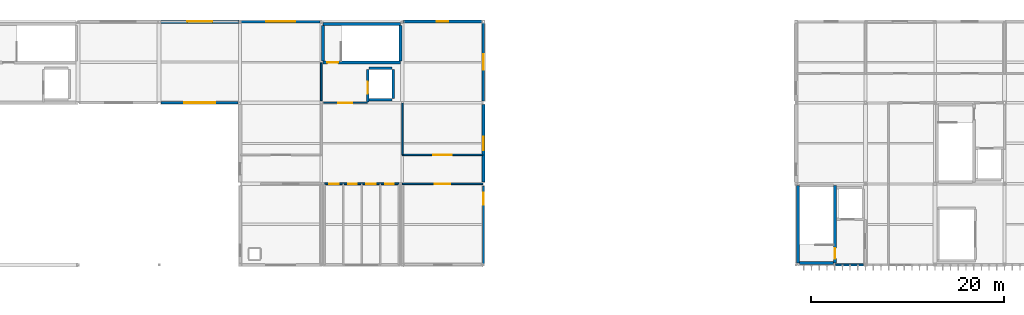
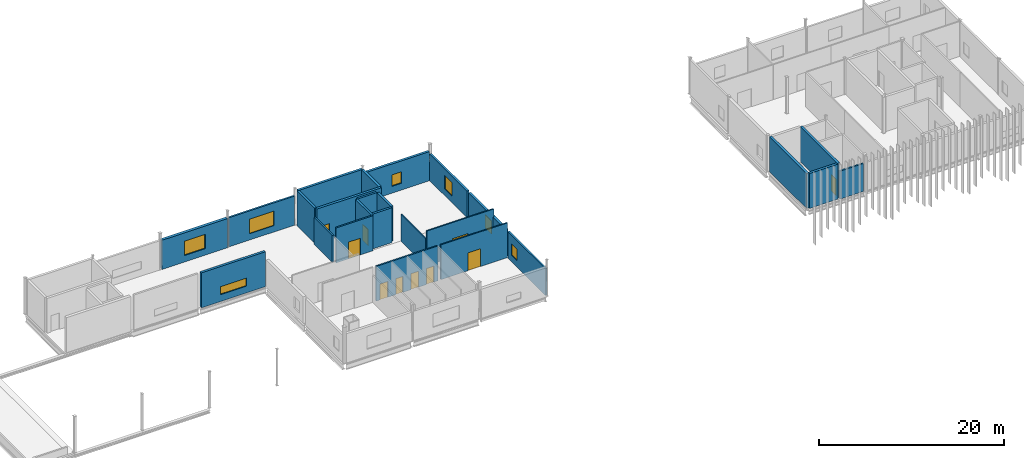
# One storey, part 20 of 27: 25 walls, 10 doors, 7 windows, 17 openings.
"""IFC4 building model written with IfcOpenShell, lengths in metres."""

from ifc_helpers import new_model, si_unit, direction, frame, frame_2d, origin, place, context, subcontext, project, spatial, rectangle, extrude, material, layer, layer_set, type_object, element, fill, save


model = new_model("IFC4")

# Units and contexts
model_context = context("Model", 3, precision=1e-05, world=origin(), true_north=direction((0.0, 1.0)))
body_context = subcontext(model_context, "Body", "Model", "MODEL_VIEW")
ifc_project = project(units=[si_unit("LENGTHUNIT", "METRE"), si_unit("AREAUNIT", "SQUARE_METRE"), si_unit("VOLUMEUNIT", "CUBIC_METRE"), si_unit("PLANEANGLEUNIT", "RADIAN"), si_unit("MASSUNIT", "GRAM", prefix="KILO")], contexts=[model_context])

# Site, building, storey
site_placement = place(None, origin())
site = spatial("IfcSite", under=ifc_project, at=site_placement, CompositionType="ELEMENT")
building_placement = place(site_placement, origin())
building = spatial("IfcBuilding", under=site, at=building_placement, Name="Calvrana Isthmian Art Gallery", CompositionType="ELEMENT")
storey_placement = place(building_placement, frame((0.0, 0.0, 24.60009765625)))
storey = spatial("IfcBuildingStorey", under=building, at=storey_placement, Name="L05", CompositionType="ELEMENT", Elevation=24.60009765625)

# Wall, opening, door
ifc_material_1 = material(Name="Concrete C40/50", Category="concrete")
ifc_layer_1 = layer(ifc_material_1, 0.300048828125, Name="Concrete C40/50")
ifc_layer_set_1 = layer_set([ifc_layer_1], Name="Concrete C40/50")
wall_type_1 = type_object("IfcWallType", Name="CW-SHAFT-300", PredefinedType="SHEAR", material=ifc_layer_set_1)
wall_1_placement = place(storey_placement, frame((63.7900390625, 42.56005859375, 0.0), z_axis=(0.0, 0.0, 1.0), x_axis=(1.0, 0.0, 0.0)))
wall_1 = element("IfcWall", 1, at=wall_1_placement, inside=storey, type_object=wall_type_1, Name="Core C2 shear wall S L05", PredefinedType="SHEAR", context=body_context, shape_type="SweptSolid", body=[
    extrude(rectangle(XDim=8.02001953125, YDim=0.300048828125, at=frame_2d((4.010009765625, 0.0))), origin(), (0.0, 0.0, 1.0), 4.599853515625),
])
opening_1_placement = place(wall_1_placement, frame((0.449951171875, 0.0, 0.0)))
opening_1 = element("IfcOpeningElement", 2, at=opening_1_placement, cuts=wall_1, Name="Opening D-126", PredefinedType="OPENING", context=body_context, shape_type="SweptSolid", body=[
    extrude(rectangle(XDim=1.10009765625, YDim=2.14990234375, at=frame_2d((0.550048828125, 1.074951171875))), frame((0.0, 0.16015625, 0.0), z_axis=(0.0, -1.0, 0.0), x_axis=(1.0, 0.0, 0.0)), (0.0, 0.0, 1.0), 0.320556640625),
])
ifc_material_2 = material(Name="Steel ASTM A572 Gr 50", Category="steel")
door_type_1 = type_object("IfcDoorType", Name="DR-FIRE-1100", OperationType="NOTDEFINED", PredefinedType="DOOR", material=ifc_material_2)
door_1_placement = place(opening_1_placement, origin())
door_1 = element("IfcDoor", 3, at=door_1_placement, inside=storey, type_object=door_type_1, Name="Stair ST-2 fire door L05", OperationType="SINGLE_SWING_RIGHT", OverallHeight=2.14990234375, OverallWidth=1.10009765625, PredefinedType="DOOR", context=body_context, shape_type="SweptSolid", body=[
    extrude(rectangle(XDim=1.10009765625, YDim=2.14990234375, at=frame_2d((0.550048828125, 1.074951171875))), frame((0.0, 0.02490234375, 0.0), z_axis=(0.0, -1.0, 0.0), x_axis=(1.0, 0.0, 0.0)), (0.0, 0.0, 1.0), 0.050048828125),
])
fill(opening_1, door_1)

# Walls
wall_2_placement = place(storey_placement, frame((63.7900390625, 46.580078125, 0.0), z_axis=(0.0, 0.0, 1.0), x_axis=(1.0, 0.0, 0.0)))
element("IfcWall", 4, at=wall_2_placement, inside=storey, type_object=wall_type_1, Name="Core C2 shear wall N L05", PredefinedType="SHEAR", context=body_context, shape_type="SweptSolid", body=[
    extrude(rectangle(XDim=8.02001953125, YDim=0.300048828125, at=frame_2d((4.010009765625, 0.0))), origin(), (0.0, 0.0, 1.0), 4.599853515625),
])
for number, where, z_axis, x_axis, name in (
    (5, (63.7900390625, 42.7099609375, 0.0), (0.0, 0.0, 1.0), (0.0, 1.0, 0.0), "Core C2 shear wall W L05"),
    (6, (71.81005859375, 42.7099609375, 0.0), (0.0, 0.0, 1.0), (0.0, 1.0, 0.0), "Core C2 shear wall E L05"),
):
    element("IfcWall", number, at=place(storey_placement, frame(where, z_axis=z_axis, x_axis=x_axis)), inside=storey, type_object=wall_type_1, Name=name, PredefinedType="SHEAR", context=body_context, shape_type="SweptSolid", body=[
        extrude(rectangle(XDim=3.719970703125, YDim=0.300048828125, at=frame_2d((1.85986328125, 0.0))), origin(), (0.0, 0.0, 1.0), 4.599853515625),
    ])
wall_3_placement = place(storey_placement, frame((113.02001953125, 21.7900390625, 0.0), z_axis=(0.0, 0.0, 1.0), x_axis=(0.0, 1.0, 0.0)))
element("IfcWall", 7, at=wall_3_placement, inside=storey, type_object=wall_type_1, Name="Core C3 shear wall W L05", PredefinedType="SHEAR", context=body_context, shape_type="SweptSolid", body=[
    extrude(rectangle(XDim=8.02001953125, YDim=0.300048828125, at=frame_2d((4.010009765625, 0.0))), origin(), (0.0, 0.0, 1.0), 4.599853515625),
])

# Wall, opening, door
wall_4_placement = place(storey_placement, frame((116.840087890625, 21.7900390625, 0.0), z_axis=(0.0, 0.0, 1.0), x_axis=(0.0, 1.0, 0.0)))
wall_4 = element("IfcWall", 8, at=wall_4_placement, inside=storey, type_object=wall_type_1, Name="Core C3 shear wall E L05", PredefinedType="SHEAR", context=body_context, shape_type="SweptSolid", body=[
    extrude(rectangle(XDim=8.02001953125, YDim=0.300048828125, at=frame_2d((4.010009765625, 0.0))), origin(), (0.0, 0.0, 1.0), 4.599853515625),
])
opening_2_placement = place(wall_4_placement, frame((0.449951171875, 0.0, 0.0)))
opening_2 = element("IfcOpeningElement", 9, at=opening_2_placement, cuts=wall_4, Name="Opening D-140", PredefinedType="OPENING", context=body_context, shape_type="SweptSolid", body=[
    extrude(rectangle(XDim=1.10009765625, YDim=2.14990234375, at=frame_2d((0.550048828125, 1.074951171875))), frame((0.0, 0.16015625, 0.0), z_axis=(0.0, -1.0, 0.0), x_axis=(1.0, 0.0, 0.0)), (0.0, 0.0, 1.0), 0.320556640625),
])
door_2_placement = place(opening_2_placement, origin())
door_2 = element("IfcDoor", 10, at=door_2_placement, inside=storey, type_object=door_type_1, Name="Stair ST-3 fire door L05", OperationType="SINGLE_SWING_LEFT", OverallHeight=2.14990234375, OverallWidth=1.10009765625, PredefinedType="DOOR", context=body_context, shape_type="SweptSolid", body=[
    extrude(rectangle(XDim=1.10009765625, YDim=2.14990234375, at=frame_2d((0.550048828125, 1.074951171875))), frame((0.0, 0.02490234375, 0.0), z_axis=(0.0, -1.0, 0.0), x_axis=(1.0, 0.0, 0.0)), (0.0, 0.0, 1.0), 0.050048828125),
])
fill(opening_2, door_2)

# Wall
wall_5_placement = place(storey_placement, frame((113.169921875, 21.7900390625, 0.0), z_axis=(0.0, 0.0, 1.0), x_axis=(1.0, 0.0, 0.0)))
element("IfcWall", 11, at=wall_5_placement, inside=storey, type_object=wall_type_1, Name="Core C3 shear wall S L05", PredefinedType="SHEAR", context=body_context, shape_type="SweptSolid", body=[
    extrude(rectangle(XDim=3.52001953125, YDim=0.300048828125, at=frame_2d((1.760009765625, 0.0))), origin(), (0.0, 0.0, 1.0), 4.599853515625),
])

# Wall, opening, window
ifc_material_3 = material(Name="Precast concrete C40/50", Category="concrete")
ifc_layer_2 = layer(ifc_material_3, 0.219970703125, Name="Precast concrete C40/50")
ifc_layer_set_2 = layer_set([ifc_layer_2], Name="Precast concrete C40/50")
wall_type_2 = type_object("IfcWallType", Name="EW-ACOUST-220", PredefinedType="SOLIDWALL", material=ifc_layer_set_2)
wall_6_placement = place(storey_placement, frame((55.301513671875, 46.800048828125, 0.0), z_axis=(0.0, 0.0, 1.0), x_axis=(1.0, 0.0, 0.0)))
wall_6 = element("IfcWall", 12, at=wall_6_placement, inside=storey, type_object=wall_type_2, Name="Exterior wall EW-218", PredefinedType="SOLIDWALL", context=body_context, shape_type="SweptSolid", body=[
    extrude(rectangle(XDim=8.17138671875, YDim=0.219970703125, at=frame_2d((4.085693359375, 0.0))), origin(), (0.0, 0.0, 1.0), 3.84228515625),
])
opening_3_placement = place(wall_6_placement, frame((2.585693359375, 0.0, 0.85009765625)))
opening_3 = element("IfcOpeningElement", 13, at=opening_3_placement, cuts=wall_6, Name="Opening W-163", PredefinedType="OPENING", context=body_context, shape_type="SweptSolid", body=[
    extrude(rectangle(XDim=3.0, YDim=1.89990234375, at=frame_2d((1.5, 0.949951171875))), frame((0.0, 0.1201171875, 0.0), z_axis=(0.0, -1.0, 0.0), x_axis=(1.0, 0.0, 0.0)), (0.0, 0.0, 1.0), 0.240478515625),
])
ifc_material_4 = material(Name="Low-E laminated solar glass", Category="glass")
window_type_1 = type_object("IfcWindowType", Name="WN-S02", PartitioningType="DOUBLE_PANEL_VERTICAL", PredefinedType="WINDOW", material=ifc_material_4)
window_1_placement = place(opening_3_placement, origin())
window_1 = element("IfcWindow", 14, at=window_1_placement, inside=storey, type_object=window_type_1, Name="Facade window W-163", OverallHeight=1.89990234375, OverallWidth=3.0, PartitioningType="SINGLE_PANEL", PredefinedType="WINDOW", context=body_context, shape_type="SweptSolid", body=[
    extrude(rectangle(XDim=3.0, YDim=1.89990234375, at=frame_2d((1.5, 0.949951171875))), frame((0.0, 0.030029296875, 0.0), z_axis=(0.0, -1.0, 0.0), x_axis=(1.0, 0.0, 0.0)), (0.0, 0.0, 1.0), 0.06005859375),
])
fill(opening_3, window_1)

wall_7_placement = place(storey_placement, frame((80.39990234375, 29.800048828125, 0.0), z_axis=(0.0, 0.0, 1.0), x_axis=(0.0, -1.0, 0.0)))
wall_7 = element("IfcWall", 15, at=wall_7_placement, inside=storey, type_object=wall_type_2, Name="Exterior wall EW-226", PredefinedType="SOLIDWALL", context=body_context, shape_type="SweptSolid", body=[
    extrude(rectangle(XDim=8.098388671875, YDim=0.219970703125, at=frame_2d((4.04931640625, 0.0))), origin(), (0.0, 0.0, 1.0), 3.52392578125),
])
opening_4_placement = place(wall_7_placement, frame((0.75, 0.0, 0.89990234375)))
opening_4 = element("IfcOpeningElement", 16, at=opening_4_placement, cuts=wall_7, Name="Opening W-171", PredefinedType="OPENING", context=body_context, shape_type="SweptSolid", body=[
    extrude(rectangle(XDim=1.199951171875, YDim=1.5, at=frame_2d((0.60009765625, 0.75))), frame((0.0, 0.1201171875, 0.0), z_axis=(0.0, -1.0, 0.0), x_axis=(1.0, 0.0, 0.0)), (0.0, 0.0, 1.0), 0.240478515625),
])
window_type_2 = type_object("IfcWindowType", Name="WN-G01", PartitioningType="SINGLE_PANEL", PredefinedType="WINDOW", material=ifc_material_4)
window_2_placement = place(opening_4_placement, origin())
window_2 = element("IfcWindow", 17, at=window_2_placement, inside=storey, type_object=window_type_2, Name="Facade window W-171", OverallHeight=1.5, OverallWidth=1.199951171875, PartitioningType="SINGLE_PANEL", PredefinedType="WINDOW", context=body_context, shape_type="SweptSolid", body=[
    extrude(rectangle(XDim=1.199951171875, YDim=1.5, at=frame_2d((0.60009765625, 0.75))), frame((0.0, 0.030029296875, 0.0), z_axis=(0.0, -1.0, 0.0), x_axis=(1.0, 0.0, 0.0)), (0.0, 0.0, 1.0), 0.06005859375),
])
fill(opening_4, window_2)

ifc_material_5 = material(Name="Pale Isthmian limestone", Category="masonry")
ifc_layer_3 = layer(ifc_material_5, 0.300048828125, Name="Pale Isthmian limestone")
ifc_layer_set_3 = layer_set([ifc_layer_3], Name="Pale Isthmian limestone")
wall_type_3 = type_object("IfcWallType", Name="EW-LIME-300", PredefinedType="SOLIDWALL", material=ifc_layer_set_3)
wall_8_placement = place(storey_placement, frame((55.0, 38.39990234375, 0.0), z_axis=(0.0, 0.0, 1.0), x_axis=(-1.0, 0.0, 0.0)))
wall_8 = element("IfcWall", 18, at=wall_8_placement, inside=storey, type_object=wall_type_3, Name="Exterior wall EW-215", PredefinedType="SOLIDWALL", context=body_context, shape_type="SweptSolid", body=[
    extrude(rectangle(XDim=8.0, YDim=0.300048828125, at=frame_2d((4.0, 0.0))), origin(), (0.0, 0.0, 1.0), 4.599853515625),
])
opening_5_placement = place(wall_8_placement, frame((2.39990234375, 0.0, 0.89990234375)))
opening_5 = element("IfcOpeningElement", 19, at=opening_5_placement, cuts=wall_8, Name="Opening W-160", PredefinedType="OPENING", context=body_context, shape_type="SweptSolid", body=[
    extrude(rectangle(XDim=3.199951171875, YDim=1.050048828125, at=frame_2d((1.60009765625, 0.52490234375))), frame((0.0, 0.16015625, 0.0), z_axis=(0.0, -1.0, 0.0), x_axis=(1.0, 0.0, 0.0)), (0.0, 0.0, 1.0), 0.320556640625),
])
window_type_3 = type_object("IfcWindowType", Name="WN-C05", PartitioningType="DOUBLE_PANEL_VERTICAL", PredefinedType="WINDOW", material=ifc_material_4)
window_3_placement = place(opening_5_placement, origin())
window_3 = element("IfcWindow", 20, at=window_3_placement, inside=storey, type_object=window_type_3, Name="Facade window W-160", OverallHeight=1.050048828125, OverallWidth=3.199951171875, PartitioningType="SINGLE_PANEL", PredefinedType="WINDOW", context=body_context, shape_type="SweptSolid", body=[
    extrude(rectangle(XDim=3.199951171875, YDim=1.050048828125, at=frame_2d((1.60009765625, 0.52490234375))), frame((0.0, 0.030029296875, 0.0), z_axis=(0.0, -1.0, 0.0), x_axis=(1.0, 0.0, 0.0)), (0.0, 0.0, 1.0), 0.06005859375),
])
fill(opening_5, window_3)

wall_9_placement = place(storey_placement, frame((72.1015625, 46.800048828125, 0.0), z_axis=(0.0, 0.0, 1.0), x_axis=(1.0, 0.0, 0.0)))
wall_9 = element("IfcWall", 21, at=wall_9_placement, inside=storey, type_object=wall_type_3, Name="Exterior wall EW-219", PredefinedType="SOLIDWALL", context=body_context, shape_type="SweptSolid", body=[
    extrude(rectangle(XDim=8.14599609375, YDim=0.300048828125, at=frame_2d((4.072998046875, 0.0))), origin(), (0.0, 0.0, 1.0), 3.84228515625),
])
opening_6_placement = place(wall_9_placement, frame((3.472900390625, 0.0, 0.89990234375)))
opening_6 = element("IfcOpeningElement", 22, at=opening_6_placement, cuts=wall_9, Name="Opening W-164", PredefinedType="OPENING", context=body_context, shape_type="SweptSolid", body=[
    extrude(rectangle(XDim=1.199951171875, YDim=1.5, at=frame_2d((0.60009765625, 0.75))), frame((0.0, 0.16015625, 0.0), z_axis=(0.0, -1.0, 0.0), x_axis=(1.0, 0.0, 0.0)), (0.0, 0.0, 1.0), 0.320556640625),
])
window_4_placement = place(opening_6_placement, origin())
window_4 = element("IfcWindow", 23, at=window_4_placement, inside=storey, type_object=window_type_2, Name="Facade window W-164", OverallHeight=1.5, OverallWidth=1.199951171875, PartitioningType="SINGLE_PANEL", PredefinedType="WINDOW", context=body_context, shape_type="SweptSolid", body=[
    extrude(rectangle(XDim=1.199951171875, YDim=1.5, at=frame_2d((0.60009765625, 0.75))), frame((0.0, 0.030029296875, 0.0), z_axis=(0.0, -1.0, 0.0), x_axis=(1.0, 0.0, 0.0)), (0.0, 0.0, 1.0), 0.06005859375),
])
fill(opening_6, window_4)

wall_10_placement = place(storey_placement, frame((80.39990234375, 38.199951171875, 0.0), z_axis=(0.0, 0.0, 1.0), x_axis=(0.0, -1.0, 0.0)))
wall_10 = element("IfcWall", 24, at=wall_10_placement, inside=storey, type_object=wall_type_3, Name="Exterior wall EW-227", PredefinedType="SOLIDWALL", context=body_context, shape_type="SweptSolid", body=[
    extrude(rectangle(XDim=8.0, YDim=0.300048828125, at=frame_2d((4.0, 0.0))), origin(), (0.0, 0.0, 1.0), 3.52392578125),
])
opening_7_placement = place(wall_10_placement, frame((3.300048828125, 0.0, 0.89990234375)))
opening_7 = element("IfcOpeningElement", 25, at=opening_7_placement, cuts=wall_10, Name="Opening W-172", PredefinedType="OPENING", context=body_context, shape_type="SweptSolid", body=[
    extrude(rectangle(XDim=1.39990234375, YDim=1.75, at=frame_2d((0.699951171875, 0.875))), frame((0.0, 0.16015625, 0.0), z_axis=(0.0, -1.0, 0.0), x_axis=(1.0, 0.0, 0.0)), (0.0, 0.0, 1.0), 0.320556640625),
])
window_type_4 = type_object("IfcWindowType", Name="WN-G09", PartitioningType="SINGLE_PANEL", PredefinedType="WINDOW", material=ifc_material_4)
window_5_placement = place(opening_7_placement, origin())
window_5 = element("IfcWindow", 26, at=window_5_placement, inside=storey, type_object=window_type_4, Name="Facade window W-172", OverallHeight=1.75, OverallWidth=1.39990234375, PartitioningType="SINGLE_PANEL", PredefinedType="WINDOW", context=body_context, shape_type="SweptSolid", body=[
    extrude(rectangle(XDim=1.39990234375, YDim=1.75, at=frame_2d((0.699951171875, 0.875))), frame((0.0, 0.030029296875, 0.0), z_axis=(0.0, -1.0, 0.0), x_axis=(1.0, 0.0, 0.0)), (0.0, 0.0, 1.0), 0.06005859375),
])
fill(opening_7, window_5)

ifc_layer_4 = layer(ifc_material_3, 0.35009765625, Name="Precast concrete C40/50")
ifc_layer_set_4 = layer_set([ifc_layer_4], Name="Precast concrete C40/50")
wall_type_4 = type_object("IfcWallType", Name="EW-PREC-350", PredefinedType="SOLIDWALL", material=ifc_layer_set_4)
wall_11_placement = place(storey_placement, frame((46.952392578125, 46.800048828125, 0.0), z_axis=(0.0, 0.0, 1.0), x_axis=(1.0, 0.0, 0.0)))
wall_11 = element("IfcWall", 27, at=wall_11_placement, inside=storey, type_object=wall_type_4, Name="Exterior wall EW-217", PredefinedType="SOLIDWALL", context=body_context, shape_type="SweptSolid", body=[
    extrude(rectangle(XDim=8.14599609375, YDim=0.35009765625, at=frame_2d((4.072998046875, 0.0))), origin(), (0.0, 0.0, 1.0), 3.84228515625),
])
opening_8_placement = place(wall_11_placement, frame((2.77294921875, 0.0, 0.85009765625)))
opening_8 = element("IfcOpeningElement", 28, at=opening_8_placement, cuts=wall_11, Name="Opening W-162", PredefinedType="OPENING", context=body_context, shape_type="SweptSolid", body=[
    extrude(rectangle(XDim=2.60009765625, YDim=1.89990234375, at=frame_2d((1.300048828125, 0.949951171875))), frame((0.0, 0.185302734375, 0.0), z_axis=(0.0, -1.0, 0.0), x_axis=(1.0, 0.0, 0.0)), (0.0, 0.0, 1.0), 0.37060546875),
])
window_type_5 = type_object("IfcWindowType", Name="WN-S01", PartitioningType="DOUBLE_PANEL_VERTICAL", PredefinedType="WINDOW", material=ifc_material_4)
window_6_placement = place(opening_8_placement, origin())
window_6 = element("IfcWindow", 29, at=window_6_placement, inside=storey, type_object=window_type_5, Name="Facade window W-162", OverallHeight=1.89990234375, OverallWidth=2.60009765625, PartitioningType="SINGLE_PANEL", PredefinedType="WINDOW", context=body_context, shape_type="SweptSolid", body=[
    extrude(rectangle(XDim=2.60009765625, YDim=1.89990234375, at=frame_2d((1.300048828125, 0.949951171875))), frame((0.0, 0.030029296875, 0.0), z_axis=(0.0, -1.0, 0.0), x_axis=(1.0, 0.0, 0.0)), (0.0, 0.0, 1.0), 0.06005859375),
])
fill(opening_8, window_6)

ifc_material_6 = material(Name="Polychrome glazed terracotta", Category="masonry")
ifc_layer_5 = layer(ifc_material_6, 0.25, Name="Polychrome glazed terracotta")
ifc_layer_set_5 = layer_set([ifc_layer_5], Name="Polychrome glazed terracotta")
wall_type_5 = type_object("IfcWallType", Name="EW-TERRA-250", PredefinedType="SOLIDWALL", material=ifc_layer_set_5)
wall_12_placement = place(storey_placement, frame((80.39990234375, 46.647705078125, 0.0), z_axis=(0.0, 0.0, 1.0), x_axis=(0.0, -1.0, 0.0)))
wall_12 = element("IfcWall", 30, at=wall_12_placement, inside=storey, type_object=wall_type_5, Name="Exterior wall EW-228", PredefinedType="SOLIDWALL", context=body_context, shape_type="SweptSolid", body=[
    extrude(rectangle(XDim=8.047607421875, YDim=0.25, at=frame_2d((4.02392578125, 0.0))), origin(), (0.0, 0.0, 1.0), 3.52392578125),
])
opening_9_placement = place(wall_12_placement, frame((3.223876953125, 0.0, 0.89990234375)))
opening_9 = element("IfcOpeningElement", 31, at=opening_9_placement, cuts=wall_12, Name="Opening W-173", PredefinedType="OPENING", context=body_context, shape_type="SweptSolid", body=[
    extrude(rectangle(XDim=1.60009765625, YDim=1.75, at=frame_2d((0.800048828125, 0.875))), frame((0.0, 0.13525390625, 0.0), z_axis=(0.0, -1.0, 0.0), x_axis=(1.0, 0.0, 0.0)), (0.0, 0.0, 1.0), 0.2705078125),
])
window_type_6 = type_object("IfcWindowType", Name="WN-G10", PartitioningType="SINGLE_PANEL", PredefinedType="WINDOW", material=ifc_material_4)
window_7_placement = place(opening_9_placement, origin())
window_7 = element("IfcWindow", 32, at=window_7_placement, inside=storey, type_object=window_type_6, Name="Facade window W-173", OverallHeight=1.75, OverallWidth=1.60009765625, PartitioningType="SINGLE_PANEL", PredefinedType="WINDOW", context=body_context, shape_type="SweptSolid", body=[
    extrude(rectangle(XDim=1.60009765625, YDim=1.75, at=frame_2d((0.800048828125, 0.875))), frame((0.0, 0.030029296875, 0.0), z_axis=(0.0, -1.0, 0.0), x_axis=(1.0, 0.0, 0.0)), (0.0, 0.0, 1.0), 0.06005859375),
])
fill(opening_9, window_7)

# Wall, openings, doors
ifc_material_7 = material(Name="Acoustic gypsum ceiling", Category="gypsum")
ifc_layer_6 = layer(ifc_material_7, 0.179931640625, Name="Acoustic gypsum ceiling")
ifc_layer_set_6 = layer_set([ifc_layer_6], Name="Acoustic gypsum ceiling")
wall_type_6 = type_object("IfcWallType", Name="PW-CORR-180", PredefinedType="PARTITIONING", material=ifc_layer_set_6)
wall_13_placement = place(storey_placement, frame((63.9599609375, 30.0, 0.0), z_axis=(0.0, 0.0, 1.0), x_axis=(1.0, 0.0, 0.0)))
wall_13 = element("IfcWall", 33, at=wall_13_placement, inside=storey, type_object=wall_type_6, Name="Interior partition PW-612", PredefinedType="PARTITIONING", context=body_context, shape_type="SweptSolid", body=[
    extrude(rectangle(XDim=7.679931640625, YDim=0.179931640625, at=frame_2d((3.83984375, 0.0))), origin(), (0.0, 0.0, 1.0), 4.579833984375),
])
opening_10_placement = place(wall_13_placement, frame((0.485107421875, 0.0, 0.0)))
opening_10 = element("IfcOpeningElement", 34, at=opening_10_placement, cuts=wall_13, Name="Opening D-516", PredefinedType="OPENING", context=body_context, shape_type="SweptSolid", body=[
    extrude(rectangle(XDim=0.949951171875, YDim=2.10009765625, at=frame_2d((0.47509765625, 1.050048828125))), frame((0.0, 0.10009765625, 0.0), z_axis=(0.0, -1.0, 0.0), x_axis=(1.0, 0.0, 0.0)), (0.0, 0.0, 1.0), 0.200439453125),
])
opening_11_placement = place(wall_13_placement, frame((2.429931640625, 0.0, 0.0)))
opening_11 = element("IfcOpeningElement", 35, at=opening_11_placement, cuts=wall_13, Name="Opening D-517", PredefinedType="OPENING", context=body_context, shape_type="SweptSolid", body=[
    extrude(rectangle(XDim=0.89990234375, YDim=2.10009765625, at=frame_2d((0.449951171875, 1.050048828125))), frame((0.0, 0.10009765625, 0.0), z_axis=(0.0, -1.0, 0.0), x_axis=(1.0, 0.0, 0.0)), (0.0, 0.0, 1.0), 0.200439453125),
])
opening_12_placement = place(wall_13_placement, frame((4.324951171875, 0.0, 0.0)))
opening_12 = element("IfcOpeningElement", 36, at=opening_12_placement, cuts=wall_13, Name="Opening D-518", PredefinedType="OPENING", context=body_context, shape_type="SweptSolid", body=[
    extrude(rectangle(XDim=0.949951171875, YDim=2.10009765625, at=frame_2d((0.47509765625, 1.050048828125))), frame((0.0, 0.10009765625, 0.0), z_axis=(0.0, -1.0, 0.0), x_axis=(1.0, 0.0, 0.0)), (0.0, 0.0, 1.0), 0.200439453125),
])
opening_13_placement = place(wall_13_placement, frame((6.27001953125, 0.0, 0.0)))
opening_13 = element("IfcOpeningElement", 37, at=opening_13_placement, cuts=wall_13, Name="Opening D-519", PredefinedType="OPENING", context=body_context, shape_type="SweptSolid", body=[
    extrude(rectangle(XDim=0.89990234375, YDim=2.10009765625, at=frame_2d((0.449951171875, 1.050048828125))), frame((0.0, 0.10009765625, 0.0), z_axis=(0.0, -1.0, 0.0), x_axis=(1.0, 0.0, 0.0)), (0.0, 0.0, 1.0), 0.200439453125),
])
ifc_material_8 = material(Name="Timber gallery flooring", Category="wood")
door_type_2 = type_object("IfcDoorType", Name="DR-WC-900", OperationType="NOTDEFINED", PredefinedType="DOOR", material=ifc_material_8)
door_3_placement = place(opening_11_placement, origin())
door_3 = element("IfcDoor", 38, at=door_3_placement, inside=storey, type_object=door_type_2, Name="Interior door D-517", OperationType="SINGLE_SWING_RIGHT", OverallHeight=2.10009765625, OverallWidth=0.89990234375, PredefinedType="DOOR", context=body_context, shape_type="SweptSolid", body=[
    extrude(rectangle(XDim=0.89990234375, YDim=2.10009765625, at=frame_2d((0.449951171875, 1.050048828125))), frame((0.0, 0.02490234375, 0.0), z_axis=(0.0, -1.0, 0.0), x_axis=(1.0, 0.0, 0.0)), (0.0, 0.0, 1.0), 0.050048828125),
])
fill(opening_11, door_3)
door_4_placement = place(opening_13_placement, origin())
door_4 = element("IfcDoor", 39, at=door_4_placement, inside=storey, type_object=door_type_2, Name="Interior door D-519", OperationType="SINGLE_SWING_RIGHT", OverallHeight=2.10009765625, OverallWidth=0.89990234375, PredefinedType="DOOR", context=body_context, shape_type="SweptSolid", body=[
    extrude(rectangle(XDim=0.89990234375, YDim=2.10009765625, at=frame_2d((0.449951171875, 1.050048828125))), frame((0.0, 0.02490234375, 0.0), z_axis=(0.0, -1.0, 0.0), x_axis=(1.0, 0.0, 0.0)), (0.0, 0.0, 1.0), 0.050048828125),
])
fill(opening_13, door_4)
door_type_3 = type_object("IfcDoorType", Name="DR-WC-950", OperationType="NOTDEFINED", PredefinedType="DOOR", material=ifc_material_8)
door_5_placement = place(opening_10_placement, origin())
door_5 = element("IfcDoor", 40, at=door_5_placement, inside=storey, type_object=door_type_3, Name="Interior door D-516", OperationType="SINGLE_SWING_LEFT", OverallHeight=2.10009765625, OverallWidth=0.949951171875, PredefinedType="DOOR", context=body_context, shape_type="SweptSolid", body=[
    extrude(rectangle(XDim=0.949951171875, YDim=2.10009765625, at=frame_2d((0.47509765625, 1.050048828125))), frame((0.0, 0.02490234375, 0.0), z_axis=(0.0, -1.0, 0.0), x_axis=(1.0, 0.0, 0.0)), (0.0, 0.0, 1.0), 0.050048828125),
])
fill(opening_10, door_5)
door_6_placement = place(opening_12_placement, origin())
door_6 = element("IfcDoor", 41, at=door_6_placement, inside=storey, type_object=door_type_3, Name="Interior door D-518", OperationType="SINGLE_SWING_LEFT", OverallHeight=2.10009765625, OverallWidth=0.949951171875, PredefinedType="DOOR", context=body_context, shape_type="SweptSolid", body=[
    extrude(rectangle(XDim=0.949951171875, YDim=2.10009765625, at=frame_2d((0.47509765625, 1.050048828125))), frame((0.0, 0.02490234375, 0.0), z_axis=(0.0, -1.0, 0.0), x_axis=(1.0, 0.0, 0.0)), (0.0, 0.0, 1.0), 0.050048828125),
])
fill(opening_12, door_6)

# Wall
ifc_layer_7 = layer(ifc_material_7, 0.199951171875, Name="Acoustic gypsum ceiling")
ifc_layer_set_7 = layer_set([ifc_layer_7], Name="Acoustic gypsum ceiling")
wall_type_7 = type_object("IfcWallType", Name="PW-FIRE-200", PredefinedType="PARTITIONING", material=ifc_layer_set_7)
wall_14_placement = place(storey_placement, frame((63.60009765625, 38.6201171875, 0.0), z_axis=(0.0, 0.0, 1.0), x_axis=(0.0, 1.0, 0.0)))
element("IfcWall", 42, at=wall_14_placement, inside=storey, type_object=wall_type_7, Name="Core C2 lobby west closure L05", PredefinedType="PARTITIONING", context=body_context, shape_type="SweptSolid", body=[
    extrude(rectangle(XDim=3.919921875, YDim=0.199951171875, at=frame_2d((1.9599609375, 0.0))), origin(), (0.0, 0.0, 1.0), 3.52392578125),
])

# Wall, opening, door
wall_15_placement = place(storey_placement, frame((63.820068359375, 38.39990234375, 0.0), z_axis=(0.0, 0.0, 1.0), x_axis=(1.0, 0.0, 0.0)))
wall_15 = element("IfcWall", 43, at=wall_15_placement, inside=storey, type_object=wall_type_7, Name="Core C2 lobby enclosure L05", PredefinedType="PARTITIONING", context=body_context, shape_type="SweptSolid", body=[
    extrude(rectangle(XDim=4.559814453125, YDim=0.199951171875, at=frame_2d((2.27978515625, 0.0))), origin(), (0.0, 0.0, 1.0), 4.599853515625),
])
opening_14_placement = place(wall_15_placement, frame((1.554931640625, 0.0, 0.0)))
opening_14 = element("IfcOpeningElement", 44, at=opening_14_placement, cuts=wall_15, Name="Opening D-127", PredefinedType="OPENING", context=body_context, shape_type="SweptSolid", body=[
    extrude(rectangle(XDim=1.449951171875, YDim=2.199951171875, at=frame_2d((0.72509765625, 1.10009765625))), frame((0.0, 0.1103515625, 0.0), z_axis=(0.0, -1.0, 0.0), x_axis=(1.0, 0.0, 0.0)), (0.0, 0.0, 1.0), 0.220458984375),
])
door_type_4 = type_object("IfcDoorType", Name="DR-LOBBY-1450", OperationType="DOUBLE_DOOR_SINGLE_SWING", PredefinedType="DOOR", material=ifc_material_2)
door_7_placement = place(opening_14_placement, origin())
door_7 = element("IfcDoor", 45, at=door_7_placement, inside=storey, type_object=door_type_4, Name="Core C2 lobby fire door L05", OperationType="DOUBLE_DOOR_SINGLE_SWING", OverallHeight=2.199951171875, OverallWidth=1.449951171875, PredefinedType="DOOR", context=body_context, shape_type="SweptSolid", body=[
    extrude(rectangle(XDim=1.449951171875, YDim=2.199951171875, at=frame_2d((0.72509765625, 1.10009765625))), frame((0.0, 0.02490234375, 0.0), z_axis=(0.0, -1.0, 0.0), x_axis=(1.0, 0.0, 0.0)), (0.0, 0.0, 1.0), 0.050048828125),
])
fill(opening_14, door_7)

# Wall
wall_16_placement = place(storey_placement, frame((116.85009765625, 21.60009765625, 0.0), z_axis=(0.0, 0.0, 1.0), x_axis=(1.0, 0.0, 0.0)))
element("IfcWall", 46, at=wall_16_placement, inside=storey, type_object=wall_type_7, Name="Core C3 lobby south closure L05", PredefinedType="PARTITIONING", context=body_context, shape_type="SweptSolid", body=[
    extrude(rectangle(XDim=2.929931640625, YDim=0.199951171875, at=frame_2d((1.46484375, 0.0))), origin(), (0.0, 0.0, 1.0), 3.69482421875),
])

# Wall, opening, door
ifc_layer_8 = layer(ifc_material_7, 0.159912109375, Name="Acoustic gypsum ceiling")
ifc_layer_set_8 = layer_set([ifc_layer_8], Name="Acoustic gypsum ceiling")
wall_type_8 = type_object("IfcWallType", Name="PW-GAL-160", PredefinedType="PARTITIONING", material=ifc_layer_set_8)
wall_17_placement = place(storey_placement, frame((72.010009765625, 30.0, 0.0), z_axis=(0.0, 0.0, 1.0), x_axis=(1.0, 0.0, 0.0)))
wall_17 = element("IfcWall", 47, at=wall_17_placement, inside=storey, type_object=wall_type_8, Name="Interior partition PW-614", PredefinedType="PARTITIONING", context=body_context, shape_type="SweptSolid", body=[
    extrude(rectangle(XDim=8.330078125, YDim=0.159912109375, at=frame_2d((4.1650390625, 0.0))), origin(), (0.0, 0.0, 1.0), 4.579833984375),
])
opening_15_placement = place(wall_17_placement, frame((3.364990234375, 0.0, 0.0)))
opening_15 = element("IfcOpeningElement", 48, at=opening_15_placement, cuts=wall_17, Name="Opening D-520", PredefinedType="OPENING", context=body_context, shape_type="SweptSolid", body=[
    extrude(rectangle(XDim=1.60009765625, YDim=2.35009765625, at=frame_2d((0.800048828125, 1.175048828125))), frame((0.0, 0.09033203125, 0.0), z_axis=(0.0, -1.0, 0.0), x_axis=(1.0, 0.0, 0.0)), (0.0, 0.0, 1.0), 0.180419921875),
])
door_type_5 = type_object("IfcDoorType", Name="DR-GAL-1600", OperationType="DOUBLE_DOOR_SINGLE_SWING", PredefinedType="DOOR", material=ifc_material_8)
door_8_placement = place(opening_15_placement, origin())
door_8 = element("IfcDoor", 49, at=door_8_placement, inside=storey, type_object=door_type_5, Name="Interior door D-520", OperationType="DOUBLE_DOOR_SINGLE_SWING", OverallHeight=2.35009765625, OverallWidth=1.60009765625, PredefinedType="DOOR", context=body_context, shape_type="SweptSolid", body=[
    extrude(rectangle(XDim=1.60009765625, YDim=2.35009765625, at=frame_2d((0.800048828125, 1.175048828125))), frame((0.0, 0.02490234375, 0.0), z_axis=(0.0, -1.0, 0.0), x_axis=(1.0, 0.0, 0.0)), (0.0, 0.0, 1.0), 0.050048828125),
])
fill(opening_15, door_8)

# Wall
wall_18_placement = place(storey_placement, frame((72.0, 33.02001953125, 0.0), z_axis=(0.0, 0.0, 1.0), x_axis=(0.0, 1.0, 0.0)))
element("IfcWall", 50, at=wall_18_placement, inside=storey, type_object=wall_type_8, Name="Interior partition PW-617", PredefinedType="PARTITIONING", context=body_context, shape_type="SweptSolid", body=[
    extrude(rectangle(XDim=5.35009765625, YDim=0.159912109375, at=frame_2d((2.675048828125, 0.0))), origin(), (0.0, 0.0, 1.0), 3.52392578125),
])

# Wall, opening, door
wall_19_placement = place(storey_placement, frame((72.010009765625, 33.010009765625, 0.0), z_axis=(0.0, 0.0, 1.0), x_axis=(1.0, 0.0, 0.0)))
wall_19 = element("IfcWall", 51, at=wall_19_placement, inside=storey, type_object=wall_type_8, Name="Interior partition PW-618", PredefinedType="PARTITIONING", context=body_context, shape_type="SweptSolid", body=[
    extrude(rectangle(XDim=8.330078125, YDim=0.159912109375, at=frame_2d((4.1650390625, 0.0))), origin(), (0.0, 0.0, 1.0), 4.579833984375),
])
opening_16_placement = place(wall_19_placement, frame((3.215087890625, 0.0, 0.0)))
opening_16 = element("IfcOpeningElement", 52, at=opening_16_placement, cuts=wall_19, Name="Opening D-522", PredefinedType="OPENING", context=body_context, shape_type="SweptSolid", body=[
    extrude(rectangle(XDim=1.89990234375, YDim=2.449951171875, at=frame_2d((0.949951171875, 1.22509765625))), frame((0.0, 0.09033203125, 0.0), z_axis=(0.0, -1.0, 0.0), x_axis=(1.0, 0.0, 0.0)), (0.0, 0.0, 1.0), 0.180419921875),
])
door_type_6 = type_object("IfcDoorType", Name="DR-GAL-1900", OperationType="DOUBLE_DOOR_SINGLE_SWING", PredefinedType="DOOR", material=ifc_material_8)
door_9_placement = place(opening_16_placement, origin())
door_9 = element("IfcDoor", 53, at=door_9_placement, inside=storey, type_object=door_type_6, Name="Interior door D-522", OperationType="DOUBLE_DOOR_SINGLE_SWING", OverallHeight=2.449951171875, OverallWidth=1.89990234375, PredefinedType="DOOR", context=body_context, shape_type="SweptSolid", body=[
    extrude(rectangle(XDim=1.89990234375, YDim=2.449951171875, at=frame_2d((0.949951171875, 1.22509765625))), frame((0.0, 0.02490234375, 0.0), z_axis=(0.0, -1.0, 0.0), x_axis=(1.0, 0.0, 0.0)), (0.0, 0.0, 1.0), 0.050048828125),
])
fill(opening_16, door_9)

# Walls
ifc_material_9 = material(Name="Concrete C35/45", Category="concrete")
ifc_layer_9 = layer(ifc_material_9, 0.25, Name="Concrete C35/45")
ifc_layer_set_9 = layer_set([ifc_layer_9], Name="Concrete C35/45")
wall_type_9 = type_object("IfcWallType", Name="PW-SHAFT-250", PredefinedType="PARTITIONING", material=ifc_layer_set_9)
wall_20_placement = place(storey_placement, frame((71.080078125, 38.85009765625, 0.0), z_axis=(0.0, 0.0, 1.0), x_axis=(0.0, 1.0, 0.0)))
element("IfcWall", 54, at=wall_20_placement, inside=storey, type_object=wall_type_9, Name="Lift EL-02 shaft wall E L05", PredefinedType="PARTITIONING", context=body_context, shape_type="SweptSolid", body=[
    extrude(rectangle(XDim=3.0, YDim=0.25, at=frame_2d((1.5, 0.0))), origin(), (0.0, 0.0, 1.0), 4.599853515625),
])
for number, where, z_axis, x_axis, name in (
    (55, (68.550048828125, 38.719970703125, 0.0), (0.0, 0.0, 1.0), (1.0, 0.0, 0.0), "Lift EL-02 shaft wall S L05"),
    (56, (68.550048828125, 41.97998046875, 0.0), (0.0, 0.0, 1.0), (1.0, 0.0, 0.0), "Lift EL-02 shaft wall N L05"),
):
    element("IfcWall", number, at=place(storey_placement, frame(where, z_axis=z_axis, x_axis=x_axis)), inside=storey, type_object=wall_type_9, Name=name, PredefinedType="PARTITIONING", context=body_context, shape_type="SweptSolid", body=[
        extrude(rectangle(XDim=2.39990234375, YDim=0.25, at=frame_2d((1.199951171875, 0.0))), origin(), (0.0, 0.0, 1.0), 4.599853515625),
    ])

# Wall, opening, door
wall_21_placement = place(storey_placement, frame((68.419921875, 38.5, 0.0), z_axis=(0.0, 0.0, 1.0), x_axis=(0.0, 1.0, 0.0)))
wall_21 = element("IfcWall", 57, at=wall_21_placement, inside=storey, type_object=wall_type_9, Name="Lift EL-02 shaft wall W L05", PredefinedType="PARTITIONING", context=body_context, shape_type="SweptSolid", body=[
    extrude(rectangle(XDim=3.35009765625, YDim=0.25, at=frame_2d((1.675048828125, 0.0))), origin(), (0.0, 0.0, 1.0), 4.599853515625),
])
opening_17_placement = place(wall_21_placement, frame((0.85009765625, 0.0, 0.0)))
opening_17 = element("IfcOpeningElement", 58, at=opening_17_placement, cuts=wall_21, Name="Opening LD-02-L05", PredefinedType="OPENING", context=body_context, shape_type="SweptSolid", body=[
    extrude(rectangle(XDim=1.25, YDim=2.14990234375, at=frame_2d((0.625, 1.074951171875))), frame((0.0, 0.13525390625, 0.0), z_axis=(0.0, -1.0, 0.0), x_axis=(1.0, 0.0, 0.0)), (0.0, 0.0, 1.0), 0.2705078125),
])
ifc_material_10 = material(Name="Stainless steel 316", Category="steel")
door_type_7 = type_object("IfcDoorType", Name="DR-LIFT-1250", OperationType="DOUBLE_DOOR_SLIDING", PredefinedType="DOOR", material=ifc_material_10)
door_10_placement = place(opening_17_placement, origin())
door_10 = element("IfcDoor", 59, at=door_10_placement, inside=storey, type_object=door_type_7, Name="Lift EL-02 sliding landing door L05", OperationType="DOUBLE_DOOR_SLIDING", OverallHeight=2.14990234375, OverallWidth=1.25, PredefinedType="DOOR", context=body_context, shape_type="SweptSolid", body=[
    extrude(rectangle(XDim=1.25, YDim=2.14990234375, at=frame_2d((0.625, 1.074951171875))), frame((0.0, 0.02490234375, 0.0), z_axis=(0.0, -1.0, 0.0), x_axis=(1.0, 0.0, 0.0)), (0.0, 0.0, 1.0), 0.050048828125),
])
fill(opening_17, door_10)

save(model, "model.ifc")
